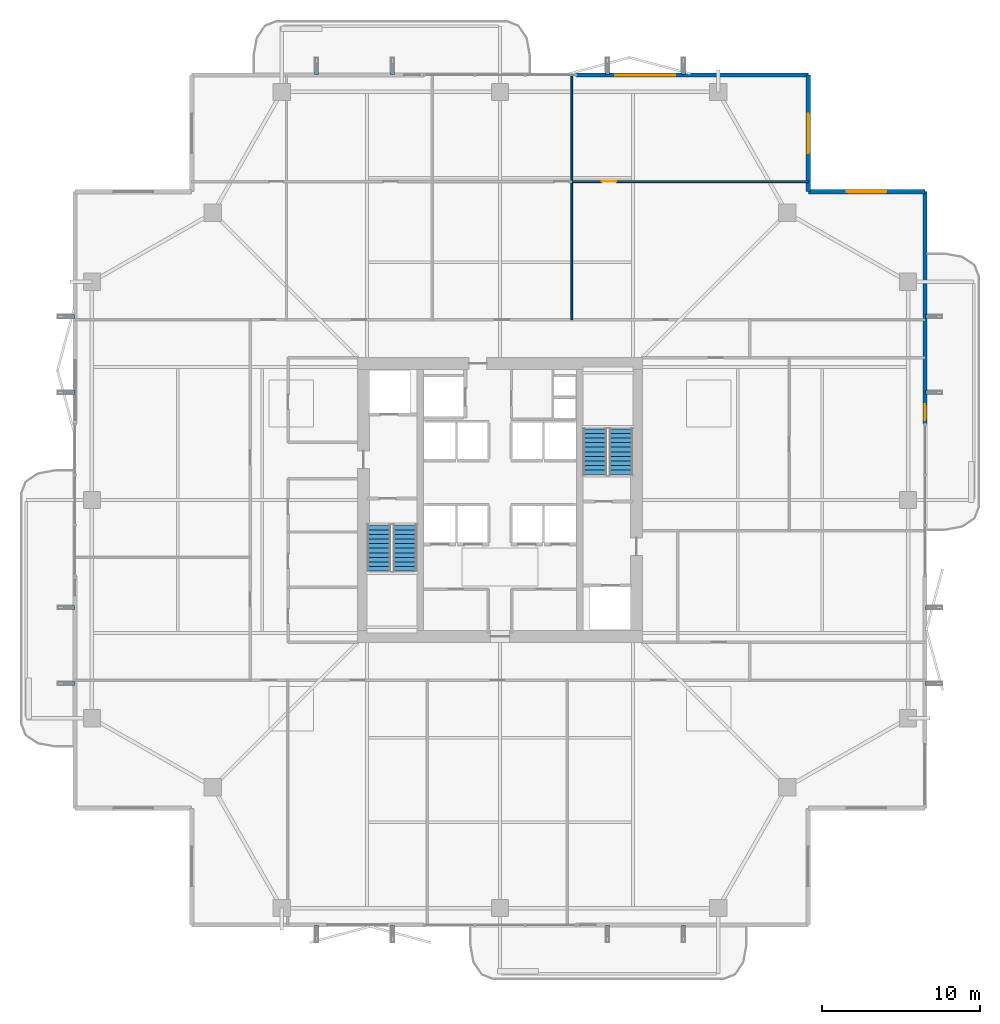
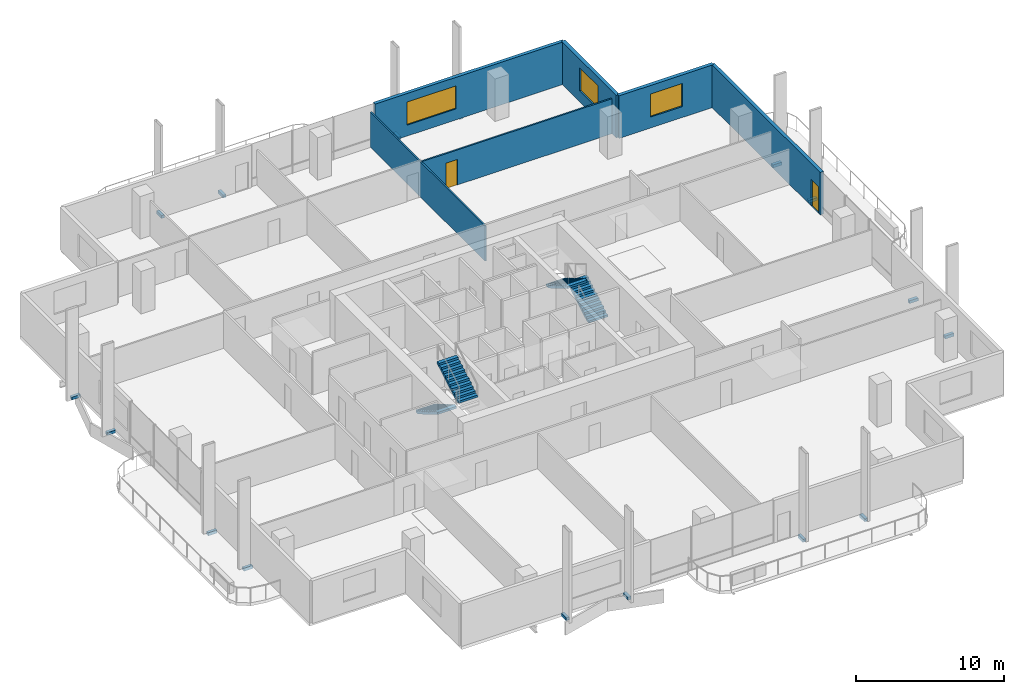
# One storey, part 20 of 24: 16 discrete accessories, 6 walls, 4 stair flights, 3 windows, 2 doors, 5 openings, 2 elements without a shape of their own.
"""IFC4 building model written with IfcOpenShell, lengths in metres."""

import ifcopenshell
import ifcopenshell.guid

model = None  # the IFC model being written
_history = None  # IfcOwnerHistory: only IFC2X3 demands one
_inside = {}  # id of a spatial element -> (the spatial element, [elements in it])
_under = {}  # id of a project, library or spatial element -> (it, [spatial elements below it])
_declared = {}  # id of a project -> (the project, [libraries it declares])
_typed = {}  # id of a type object -> (the type object, [elements of that type])
_made_of = {}  # id of a material, layer set ... -> (it, [elements and type objects made of it])


def new_model(schema):
    """Start an empty IFC model of exactly this schema.

    Asked for "IFC4X3", IfcOpenShell would pick the latest addendum, in which some entities
    have other attributes; the version numbers below select the first issue.
    IFC2X3 requires an IfcOwnerHistory on every rooted entity: one is made here for all.
    """
    global model, _history
    if schema == "IFC4X3":
        model = ifcopenshell.file(schema_version=(4, 3, 0, 0))
    else:
        model = ifcopenshell.file(schema=schema)
    _inside.clear()
    _under.clear()
    _declared.clear()
    _typed.clear()
    _made_of.clear()
    _history = None
    if model.schema == "IFC2X3":
        org = make("IfcOrganization", Name="unknown")
        user = make(
            "IfcPersonAndOrganization",
            ThePerson=make("IfcPerson", FamilyName="unknown"),
            TheOrganization=org,
        )
        app = make(
            "IfcApplication",
            ApplicationDeveloper=org,
            Version="unknown",
            ApplicationFullName="unknown",
            ApplicationIdentifier="unknown",
        )
        _history = make(
            "IfcOwnerHistory",
            OwningUser=user,
            OwningApplication=app,
            ChangeAction="ADDED",
            CreationDate=0,
        )
    return model


def make(cls, **values):
    """One entity of the class cls with the attributes given. An attribute that is None is left unset."""
    return model.create_entity(
        cls, **{name: value for name, value in values.items() if value is not None}
    )


def rooted(cls, **values):
    """An entity with a GlobalId (a new one), such as an element, a storey or a relation."""
    return make(cls, GlobalId=ifcopenshell.guid.new(), OwnerHistory=_history, **values)


def si_unit(unit_type, name, prefix=None):
    """IfcSIUnit, for example si_unit("LENGTHUNIT", "METRE", prefix="MILLI")."""
    return make("IfcSIUnit", UnitType=unit_type, Prefix=prefix, Name=name)


def assignment(units):
    """IfcUnitAssignment: the units of a project."""
    return None if units is None else make("IfcUnitAssignment", Units=units)


def point(xyz):
    """IfcCartesianPoint."""
    return None if xyz is None else make("IfcCartesianPoint", Coordinates=xyz)


def direction(xyz):
    """IfcDirection."""
    return None if xyz is None else make("IfcDirection", DirectionRatios=xyz)


def frame(location, z_axis=None, x_axis=None):
    """IfcAxis2Placement3D, a coordinate frame: its origin and axes. An axis left out is left unset."""
    return make(
        "IfcAxis2Placement3D",
        Location=point(location),
        Axis=direction(z_axis),
        RefDirection=direction(x_axis),
    )


def frame_2d(location, x_axis=None):
    """IfcAxis2Placement2D, a coordinate frame in the plane: its origin and x axis."""
    return make(
        "IfcAxis2Placement2D", Location=point(location), RefDirection=direction(x_axis)
    )


def origin():
    """The frame at (0, 0, 0) with its axes left unset."""
    return frame((0.0, 0.0, 0.0))


def origin_2d():
    """The frame at (0, 0) in the plane with its x axis left unset."""
    return frame_2d((0.0, 0.0))


def place(relative_to, where):
    """IfcLocalPlacement: puts the frame where relative to a parent placement (None: the world)."""
    return make(
        "IfcLocalPlacement", PlacementRelTo=relative_to, RelativePlacement=where
    )


def context(
    kind, dimensions, precision=None, world=None, true_north=None, identifier=None
):
    """IfcGeometricRepresentationContext, for example the 3D "Model" context."""
    return make(
        "IfcGeometricRepresentationContext",
        ContextIdentifier=identifier,
        ContextType=kind,
        CoordinateSpaceDimension=dimensions,
        Precision=precision,
        WorldCoordinateSystem=world,
        TrueNorth=true_north,
    )


def subcontext(parent, identifier, kind, view, scale=None):
    """IfcGeometricRepresentationSubContext, for example "Body" below "Model"."""
    return make(
        "IfcGeometricRepresentationSubContext",
        ContextIdentifier=identifier,
        ContextType=kind,
        ParentContext=parent,
        TargetScale=scale,
        TargetView=view,
    )


def project(units=None, contexts=None):
    """IfcProject with its units and contexts."""
    return rooted(
        "IfcProject",
        Name="project",
        RepresentationContexts=contexts,
        UnitsInContext=assignment(units),
    )


def spatial(cls, under=None, at=None, **own):
    """A site, building, storey or space (cls), placed at a placement, below another one or the project."""
    s = rooted(cls, ObjectPlacement=at, **own)
    if under is not None:
        _under.setdefault(under.id(), (under, []))[1].append(s)
    return s


def polyline(points):
    """IfcPolyline through the points."""
    return make("IfcPolyline", Points=[point(p) for p in points])


def profile(cls, at=None, kind="AREA", **sizes):
    """A parametric profile (cls). Its sizes go by their IFC names, for example OverallWidth=200.0."""
    return make(cls, ProfileType=kind, Position=at, **sizes)


def rectangle(**sizes):
    """IfcRectangleProfileDef."""
    return profile("IfcRectangleProfileDef", **sizes)


def outline(outer, holes=None, kind="AREA"):
    """IfcArbitraryClosedProfileDef: a profile drawn as a closed curve; with holes, ...WithVoids."""
    if holes is None:
        return make("IfcArbitraryClosedProfileDef", ProfileType=kind, OuterCurve=outer)
    return make(
        "IfcArbitraryProfileDefWithVoids",
        ProfileType=kind,
        OuterCurve=outer,
        InnerCurves=holes,
    )


def extrude(swept, where, along, depth):
    """IfcExtrudedAreaSolid: the profile swept, set in the frame where, extruded along a direction by depth."""
    return make(
        "IfcExtrudedAreaSolid",
        SweptArea=swept,
        Position=where,
        ExtrudedDirection=direction(along),
        Depth=depth,
    )


def shape(context_of_items, identifier, shape_type, items):
    """IfcShapeRepresentation: the items that make up one representation, for example the "Body"."""
    return make(
        "IfcShapeRepresentation",
        ContextOfItems=context_of_items,
        RepresentationIdentifier=identifier,
        RepresentationType=shape_type,
        Items=items,
    )


def material(Name=None, Category=None):
    """IfcMaterial."""
    return make("IfcMaterial", Name=Name, Category=Category)


def layer(
    of_material, thickness, ventilated=None, Name=None, Category=None, Priority=None
):
    """IfcMaterialLayer: one layer of a wall or slab, of a material (None: an air gap)."""
    return make(
        "IfcMaterialLayer",
        Material=of_material,
        LayerThickness=thickness,
        IsVentilated=ventilated,
        Name=Name,
        Category=Category,
        Priority=Priority,
    )


def layer_set(layers, Name=None):
    """IfcMaterialLayerSet."""
    return make("IfcMaterialLayerSet", MaterialLayers=layers, LayerSetName=Name)


def made_of(thing, what):
    """Note that an element or type object is made of a material, layer set ...; save() writes the relation."""
    if what is not None:
        _made_of.setdefault(what.id(), (what, []))[1].append(thing)
    return thing


def type_object(cls, material=None, **own):
    """A type object (cls), such as IfcWallType, which elements share."""
    return made_of(rooted(cls, **own), material)


def element(
    cls,
    number,
    at=None,
    inside=None,
    cuts=None,
    type_object=None,
    material=None,
    context=None,
    identifier="Body",
    shape_type=None,
    held_by="IfcProductDefinitionShape",
    body=None,
    shapes=None,
    **own,
):
    """One element of the class cls, such as IfcWall. Its Tag is "e" and its number.

    at: its placement. inside: the storey or other place that contains it. cuts: it is an
    opening in that element (IfcRelVoidsElement). A single representation is given by context,
    identifier, shape_type and body (its items); several are given by shapes. held_by: the class
    of the entity that holds the representations. save() writes the other relations.
    """
    e = rooted(cls, Tag="e%d" % number, ObjectPlacement=at, **own)
    if body is not None:
        shapes = [shape(context, identifier, shape_type, body)]
    if shapes is not None:
        e.Representation = make(held_by, Representations=shapes)
    if inside is not None:
        _inside.setdefault(inside.id(), (inside, []))[1].append(e)
    if cuts is not None:
        rooted(
            "IfcRelVoidsElement", RelatingBuildingElement=cuts, RelatedOpeningElement=e
        )
    if type_object is not None:
        _typed.setdefault(type_object.id(), (type_object, []))[1].append(e)
    return made_of(e, material)


def fill(opening, filler):
    """IfcRelFillsElement: the door or window that sits in an opening."""
    return rooted(
        "IfcRelFillsElement",
        RelatingOpeningElement=opening,
        RelatedBuildingElement=filler,
    )


def aggregate(whole, parts):
    """IfcRelAggregates: a whole, such as a stair, and the parts it consists of."""
    return rooted("IfcRelAggregates", RelatingObject=whole, RelatedObjects=parts)


def save(model, path):
    """Write the relations noted so far, then the file.

    IfcRelAggregates (storeys below a building ...), IfcRelContainedInSpatialStructure (elements
    in a storey), IfcRelDefinesByType, IfcRelAssociatesMaterial and IfcRelDeclares: one each for
    every whole, place, type object, material and project.
    """
    for whole, parts in _under.values():
        aggregate(whole, parts)
    for where, things in _inside.values():
        rooted(
            "IfcRelContainedInSpatialStructure",
            RelatedElements=things,
            RelatingStructure=where,
        )
    for kind, things in _typed.values():
        rooted("IfcRelDefinesByType", RelatedObjects=things, RelatingType=kind)
    for what, things in _made_of.values():
        rooted("IfcRelAssociatesMaterial", RelatedObjects=things, RelatingMaterial=what)
    for by, libraries in _declared.values():
        rooted("IfcRelDeclares", RelatingContext=by, RelatedDefinitions=libraries)
    model.write(path)


model = new_model("IFC4")

# Units and contexts
model_context = context("Model", 3, precision=1e-05, world=origin(), true_north=direction((0.0, 1.0)))
body_context = subcontext(model_context, "Body", "Model", "MODEL_VIEW")
ifc_project = project(units=[si_unit("LENGTHUNIT", "METRE"), si_unit("AREAUNIT", "SQUARE_METRE"), si_unit("VOLUMEUNIT", "CUBIC_METRE"), si_unit("PLANEANGLEUNIT", "RADIAN"), si_unit("MASSUNIT", "GRAM", prefix="KILO")], contexts=[model_context])

# Site, building, storey
site_placement = place(None, origin())
site = spatial("IfcSite", under=ifc_project, at=site_placement, CompositionType="ELEMENT")
building_placement = place(site_placement, origin())
building = spatial("IfcBuilding", under=site, at=building_placement, Name="Belovzor Exchange Tower", CompositionType="ELEMENT")
storey_placement = place(building_placement, frame((0.0, 0.0, 203.699951171875)))
storey = spatial("IfcBuildingStorey", under=building, at=storey_placement, Name="L50", CompositionType="ELEMENT", Elevation=203.699951171875)

# Wall
ifc_material_1 = material(Name="Acoustic Plasterboard on Galvanised Studs", Category="gypsum")
ifc_layer_1 = layer(ifc_material_1, 0.1201171875)
ifc_layer_set_1 = layer_set([ifc_layer_1], Name="Acoustic Plasterboard on Galvanised Studs")
wall_type_1 = type_object("IfcWallType", Name="Acoustic Double-Stud Partition Wall 120", PredefinedType="PARTITIONING", material=ifc_layer_set_1)
wall_1_placement = place(storey_placement, frame((33.339111328125, 40.199951171875, 0.0), z_axis=(0.0, 0.0, 1.0), x_axis=(0.0, 1.0, 0.0)))
element("IfcWall", 1, at=wall_1_placement, inside=storey, type_object=wall_type_1, Name="W-P120 Partition Wall W-L50-NDIV-3", PredefinedType="PARTITIONING", context=body_context, shape_type="SweptSolid", body=[
    extrude(rectangle(XDim=15.469970703125, YDim=0.1201171875, at=frame_2d((7.73486328125, 0.0))), origin(), (0.0, 0.0, 1.0), 2.885009765625),
])

# Wall, opening, door
wall_2_placement = place(storey_placement, frame((33.339111328125, 48.93505859375, 0.0), z_axis=(0.0, 0.0, 1.0), x_axis=(1.0, 0.0, 0.0)))
wall_2 = element("IfcWall", 2, at=wall_2_placement, inside=storey, type_object=wall_type_1, Name="W-P120 Partition Wall W-L50-NHDIV-3", PredefinedType="PARTITIONING", context=body_context, shape_type="SweptSolid", body=[
    extrude(rectangle(XDim=14.9609375, YDim=0.1201171875, at=frame_2d((7.48046875, 0.0))), origin(), (0.0, 0.0, 1.0), 2.885009765625),
])
opening_1_placement = place(wall_2_placement, frame((1.907958984375, 0.0, 0.0)))
opening_1 = element("IfcOpeningElement", 3, at=opening_1_placement, cuts=wall_2, Name="Opening D-INT-090", PredefinedType="OPENING", context=body_context, shape_type="SweptSolid", body=[
    extrude(rectangle(XDim=0.89990234375, YDim=2.10009765625, at=frame_2d((0.449951171875, 1.050048828125))), frame((0.0, 0.070068359375, 0.0), z_axis=(0.0, -1.0, 0.0), x_axis=(1.0, 0.0, 0.0)), (0.0, 0.0, 1.0), 0.14013671875),
])
ifc_material_2 = material(Name="Veneered Hardwood Acoustic Leaf", Category="wood")
door_type_1 = type_object("IfcDoorType", Name="Trading Suite Acoustic Single Door 900x2100", OperationType="NOTDEFINED", PredefinedType="DOOR", material=ifc_material_2)
door_1_placement = place(opening_1_placement, origin())
door_1 = element("IfcDoor", 4, at=door_1_placement, inside=storey, type_object=door_type_1, Name="D-INT-090 Trading Suite Acoustic Single Door 900x2100", OperationType="SINGLE_SWING_RIGHT", OverallHeight=2.10009765625, OverallWidth=0.89990234375, PredefinedType="DOOR", context=body_context, shape_type="SweptSolid", body=[
    extrude(rectangle(XDim=0.89990234375, YDim=2.10009765625, at=frame_2d((0.449951171875, 1.050048828125))), frame((0.0, 0.02490234375, 0.0), z_axis=(0.0, -1.0, 0.0), x_axis=(1.0, 0.0, 0.0)), (0.0, 0.0, 1.0), 0.050048828125),
])
fill(opening_1, door_1)

# Wall, opening, window
ifc_material_3 = material(Name="Precast concrete C40/50", Category="concrete")
ifc_layer_2 = layer(ifc_material_3, 0.280029296875)
ifc_layer_set_2 = layer_set([ifc_layer_2], Name="Precast concrete C40/50")
wall_type_2 = type_object("IfcWallType", Name="Precast Concrete Notched Corner Frame Wall 280", PredefinedType="SOLIDWALL", material=ifc_layer_set_2)
wall_3_placement = place(storey_placement, frame((48.300048828125, 55.669921875, 0.0), z_axis=(0.0, 0.0, 1.0), x_axis=(0.0, -1.0, 0.0)))
wall_3 = element("IfcWall", 5, at=wall_3_placement, inside=storey, type_object=wall_type_2, Name="W-CRN280 Precast Concrete Notched Corner Frame Wall 280 L50", PredefinedType="SOLIDWALL", context=body_context, shape_type="SweptSolid", body=[
    extrude(rectangle(XDim=7.369873046875, YDim=0.280029296875, at=frame_2d((3.68505859375, 0.0))), origin(), (0.0, 0.0, 1.0), 3.5),
])
opening_2_placement = place(wall_3_placement, frame((2.43505859375, 0.0, 0.89990234375)))
opening_2 = element("IfcOpeningElement", 6, at=opening_2_placement, cuts=wall_3, Name="Opening WN-CRN250", PredefinedType="OPENING", context=body_context, shape_type="SweptSolid", body=[
    extrude(rectangle(XDim=2.5, YDim=1.89990234375, at=frame_2d((1.25, 0.949951171875))), frame((0.0, 0.14990234375, 0.0), z_axis=(0.0, -1.0, 0.0), x_axis=(1.0, 0.0, 0.0)), (0.0, 0.0, 1.0), 0.300048828125),
])
ifc_material_4 = material(Name="Thermally Broken Aluminium and Triple Glazing", Category="aluminium")
window_type_1 = type_object("IfcWindowType", Name="Streamline Moderne Corner Wrap Ribbon Window 2500x1900", PartitioningType="SINGLE_PANEL", PredefinedType="WINDOW", material=ifc_material_4)
window_1_placement = place(opening_2_placement, origin())
window_1 = element("IfcWindow", 7, at=window_1_placement, inside=storey, type_object=window_type_1, Name="WN-CRN250 Streamline Moderne Corner Wrap Ribbon Window 2500x1900", OverallHeight=1.89990234375, OverallWidth=2.5, PartitioningType="SINGLE_PANEL", PredefinedType="WINDOW", context=body_context, shape_type="SweptSolid", body=[
    extrude(rectangle(XDim=2.5, YDim=1.89990234375, at=frame_2d((1.25, 0.949951171875))), frame((0.0, 0.030029296875, 0.0), z_axis=(0.0, -1.0, 0.0), x_axis=(1.0, 0.0, 0.0)), (0.0, 0.0, 1.0), 0.06005859375),
])
fill(opening_2, window_1)

wall_4_placement = place(storey_placement, frame((48.300048828125, 48.300048828125, 0.0), z_axis=(0.0, 0.0, 1.0), x_axis=(1.0, 0.0, 0.0)))
wall_4 = element("IfcWall", 8, at=wall_4_placement, inside=storey, type_object=wall_type_2, Name="W-CRN280 Precast Concrete Notched Corner Frame Wall 280 L50", PredefinedType="SOLIDWALL", context=body_context, shape_type="SweptSolid", body=[
    extrude(rectangle(XDim=7.369873046875, YDim=0.280029296875, at=frame_2d((3.68505859375, 0.0))), origin(), (0.0, 0.0, 1.0), 3.5),
])
opening_3_placement = place(wall_4_placement, frame((2.43505859375, 0.0, 0.89990234375)))
opening_3 = element("IfcOpeningElement", 9, at=opening_3_placement, cuts=wall_4, Name="Opening WN-CRN250", PredefinedType="OPENING", context=body_context, shape_type="SweptSolid", body=[
    extrude(rectangle(XDim=2.5, YDim=1.89990234375, at=frame_2d((1.25, 0.949951171875))), frame((0.0, 0.14990234375, 0.0), z_axis=(0.0, -1.0, 0.0), x_axis=(1.0, 0.0, 0.0)), (0.0, 0.0, 1.0), 0.300048828125),
])
window_2_placement = place(opening_3_placement, origin())
window_2 = element("IfcWindow", 10, at=window_2_placement, inside=storey, type_object=window_type_1, Name="WN-CRN250 Streamline Moderne Corner Wrap Ribbon Window 2500x1900", OverallHeight=1.89990234375, OverallWidth=2.5, PartitioningType="SINGLE_PANEL", PredefinedType="WINDOW", context=body_context, shape_type="SweptSolid", body=[
    extrude(rectangle(XDim=2.5, YDim=1.89990234375, at=frame_2d((1.25, 0.949951171875))), frame((0.0, 0.030029296875, 0.0), z_axis=(0.0, -1.0, 0.0), x_axis=(1.0, 0.0, 0.0)), (0.0, 0.0, 1.0), 0.06005859375),
])
fill(opening_3, window_2)

ifc_material_5 = material(Name="Precast concrete C40/50", Category="concrete")
ifc_layer_3 = layer(ifc_material_5, 0.260009765625)
ifc_layer_set_3 = layer_set([ifc_layer_3], Name="Precast concrete C40/50")
wall_type_3 = type_object("IfcWallType", Name="Precast Concrete Perimeter Loggia Frame Wall 260", PredefinedType="SOLIDWALL", material=ifc_layer_set_3)
wall_5_placement = place(storey_placement, frame((33.60009765625, 55.669921875, 0.0), z_axis=(0.0, 0.0, 1.0), x_axis=(1.0, 0.0, 0.0)))
wall_5 = element("IfcWall", 11, at=wall_5_placement, inside=storey, type_object=wall_type_3, Name="W-EXT260 Precast Concrete Perimeter Loggia Frame Wall 260 L50", PredefinedType="SOLIDWALL", context=body_context, shape_type="SweptSolid", body=[
    extrude(rectangle(XDim=14.699951171875, YDim=0.260009765625, at=frame_2d((7.35009765625, 0.0))), origin(), (0.0, 0.0, 1.0), 3.5),
])
opening_4_placement = place(wall_5_placement, frame((2.489990234375, 0.0, 0.89990234375)))
opening_4 = element("IfcOpeningElement", 12, at=opening_4_placement, cuts=wall_5, Name="Opening WN-RIB380", PredefinedType="OPENING", context=body_context, shape_type="SweptSolid", body=[
    extrude(rectangle(XDim=3.800048828125, YDim=1.89990234375, at=frame_2d((1.89990234375, 0.949951171875))), frame((0.0, 0.139892578125, 0.0), z_axis=(0.0, -1.0, 0.0), x_axis=(1.0, 0.0, 0.0)), (0.0, 0.0, 1.0), 0.280029296875),
])
ifc_material_6 = material(Name="Thermally Broken Aluminium and Triple Glazing", Category="aluminium")
window_type_2 = type_object("IfcWindowType", Name="Streamline Moderne Horizontal Ribbon Window 3800x1900", PartitioningType="SINGLE_PANEL", PredefinedType="WINDOW", material=ifc_material_6)
window_3_placement = place(opening_4_placement, origin())
window_3 = element("IfcWindow", 13, at=window_3_placement, inside=storey, type_object=window_type_2, Name="WN-RIB380 Streamline Moderne Horizontal Ribbon Window 3800x1900", OverallHeight=1.89990234375, OverallWidth=3.800048828125, PartitioningType="SINGLE_PANEL", PredefinedType="WINDOW", context=body_context, shape_type="SweptSolid", body=[
    extrude(rectangle(XDim=3.800048828125, YDim=1.89990234375, at=frame_2d((1.89990234375, 0.949951171875))), frame((0.0, 0.030029296875, 0.0), z_axis=(0.0, -1.0, 0.0), x_axis=(1.0, 0.0, 0.0)), (0.0, 0.0, 1.0), 0.06005859375),
])
fill(opening_4, window_3)

# Wall, opening, door
wall_6_placement = place(storey_placement, frame((55.669921875, 48.300048828125, 0.0), z_axis=(0.0, 0.0, 1.0), x_axis=(0.0, -1.0, 0.0)))
wall_6 = element("IfcWall", 14, at=wall_6_placement, inside=storey, type_object=wall_type_3, Name="W-EXT260 Precast Concrete Perimeter Loggia Frame Wall 260 L50", PredefinedType="SOLIDWALL", context=body_context, shape_type="SweptSolid", body=[
    extrude(rectangle(XDim=14.699951171875, YDim=0.260009765625, at=frame_2d((7.35009765625, 0.0))), origin(), (0.0, 0.0, 1.0), 3.5),
])
opening_5_placement = place(wall_6_placement, frame((13.449951171875, 0.0, 0.0)))
opening_5 = element("IfcOpeningElement", 15, at=opening_5_placement, cuts=wall_6, Name="Opening D-BAL100", PredefinedType="OPENING", context=body_context, shape_type="SweptSolid", body=[
    extrude(rectangle(XDim=1.0, YDim=2.199951171875, at=frame_2d((0.5, 1.10009765625))), frame((0.0, 0.139892578125, 0.0), z_axis=(0.0, -1.0, 0.0), x_axis=(1.0, 0.0, 0.0)), (0.0, 0.0, 1.0), 0.280029296875),
])
ifc_material_7 = material(Name="Thermally Broken Anodised Aluminium and Laminated Glass", Category="aluminium")
door_type_2 = type_object("IfcDoorType", Name="Planted Loggia Terrace Glazed Door 1000x2200", OperationType="SINGLE_SWING_LEFT", PredefinedType="DOOR", material=ifc_material_7)
door_2_placement = place(opening_5_placement, origin())
door_2 = element("IfcDoor", 16, at=door_2_placement, inside=storey, type_object=door_type_2, Name="D-BAL100 Balcony Terrace Door L50 E", OperationType="SINGLE_SWING_LEFT", OverallHeight=2.199951171875, OverallWidth=1.0, PredefinedType="DOOR", context=body_context, shape_type="SweptSolid", body=[
    extrude(rectangle(XDim=1.0, YDim=2.199951171875, at=frame_2d((0.5, 1.10009765625))), frame((0.0, 0.02490234375, 0.0), z_axis=(0.0, -1.0, 0.0), x_axis=(1.0, 0.0, 0.0)), (0.0, 0.0, 1.0), 0.050048828125),
])
fill(opening_5, door_2)

# Stair, stair flights
ifc_material_8 = material(Name="Concrete C40/50", Category="concrete")
stair_type = type_object("IfcStairType", Name="Reinforced Concrete Dogleg Escape Stair 1350", PredefinedType="HALF_TURN_STAIR", material=ifc_material_8)
stair_1_placement = place(storey_placement, origin())
stair_1 = element("IfcStair", 17, at=stair_1_placement, inside=storey, type_object=stair_type, Name="L50 ST-1", PredefinedType="HALF_TURN_STAIR")
ifc_material_9 = material(Name="Concrete C40/50", Category="concrete")
stair_flight_type = type_object("IfcStairFlightType", Name="Reinforced Concrete Stair Flight 1350", PredefinedType="STRAIGHT", material=ifc_material_9)
stair_flight_1_placement = place(storey_placement, frame((21.14990234375, 27.199951171875, 0.0), z_axis=(0.0, 0.0, 1.0), x_axis=(0.0, -1.0, 0.0)))
stair_flight_1 = element("IfcStairFlight", 18, at=stair_flight_1_placement, type_object=stair_flight_type, Name="ST-1 flight 1", NumberOfRisers=11, NumberOfTreads=10, PredefinedType="STRAIGHT", RiserHeight=0.170454545, TreadLength=0.29, context=body_context, shape_type="SweptSolid", body=[
    extrude(outline(polyline([(0.0, 0.0), (0.0, 0.17041015625), (0.2900390625, 0.17041015625), (0.2900390625, 0.3408203125), (0.580078125, 0.3408203125), (0.580078125, 0.511474609375), (0.8701171875, 0.511474609375), (0.8701171875, 0.681884765625), (1.159912109375, 0.681884765625), (1.159912109375, 0.852294921875), (1.449951171875, 0.852294921875), (1.449951171875, 1.022705078125), (1.739990234375, 1.022705078125), (1.739990234375, 1.193115234375), (2.030029296875, 1.193115234375), (2.030029296875, 1.363525390625), (2.320068359375, 1.363525390625), (2.320068359375, 1.5341796875), (2.610107421875, 1.5341796875), (2.610107421875, 1.70458984375), (2.89990234375, 1.70458984375), (2.89990234375, 1.875), (2.89990234375, 1.53076171875), (0.2958984375, 0.0), (0.0, 0.0)])), frame((0.0, 0.75, 0.0), z_axis=(0.0, -1.0, 0.0), x_axis=(1.0, 0.0, 0.0)), (0.0, 0.0, 1.0), 1.5),
])
stair_flight_2_placement = place(storey_placement, frame((22.800048828125, 24.300048828125, 1.875), z_axis=(0.0, 0.0, 1.0), x_axis=(0.0, 1.0, 0.0)))
stair_flight_2 = element("IfcStairFlight", 19, at=stair_flight_2_placement, type_object=stair_flight_type, Name="ST-1 flight 2", NumberOfRisers=11, NumberOfTreads=10, PredefinedType="STRAIGHT", RiserHeight=0.170454545, TreadLength=0.29, context=body_context, shape_type="SweptSolid", body=[
    extrude(outline(polyline([(0.0, 0.0), (0.0, 0.17041015625), (0.2900390625, 0.17041015625), (0.2900390625, 0.3408203125), (0.580078125, 0.3408203125), (0.580078125, 0.511474609375), (0.8701171875, 0.511474609375), (0.8701171875, 0.681884765625), (1.159912109375, 0.681884765625), (1.159912109375, 0.852294921875), (1.449951171875, 0.852294921875), (1.449951171875, 1.022705078125), (1.739990234375, 1.022705078125), (1.739990234375, 1.193115234375), (2.030029296875, 1.193115234375), (2.030029296875, 1.363525390625), (2.320068359375, 1.363525390625), (2.320068359375, 1.5341796875), (2.610107421875, 1.5341796875), (2.610107421875, 1.70458984375), (2.89990234375, 1.70458984375), (2.89990234375, 1.875), (2.89990234375, 1.53076171875), (0.2958984375, 0.0), (0.0, 0.0)])), frame((0.0, 0.75, 0.0), z_axis=(0.0, -1.0, 0.0), x_axis=(1.0, 0.0, 0.0)), (0.0, 0.0, 1.0), 1.5),
])
aggregate(stair_1, [stair_flight_1, stair_flight_2])

stair_2_placement = place(storey_placement, origin())
stair_2 = element("IfcStair", 20, at=stair_2_placement, inside=storey, type_object=stair_type, Name="L50 ST-2", PredefinedType="HALF_TURN_STAIR")
stair_flight_3_placement = place(storey_placement, frame((36.449951171875, 30.39990234375, 0.0), z_axis=(0.0, 0.0, 1.0), x_axis=(0.0, 1.0, 0.0)))
stair_flight_3 = element("IfcStairFlight", 21, at=stair_flight_3_placement, type_object=stair_flight_type, Name="ST-2 flight 1", NumberOfRisers=11, NumberOfTreads=10, PredefinedType="STRAIGHT", RiserHeight=0.170454545, TreadLength=0.29, context=body_context, shape_type="SweptSolid", body=[
    extrude(outline(polyline([(0.0, 0.0), (0.0, 0.17041015625), (0.2900390625, 0.17041015625), (0.2900390625, 0.3408203125), (0.580078125, 0.3408203125), (0.580078125, 0.511474609375), (0.8701171875, 0.511474609375), (0.8701171875, 0.681884765625), (1.159912109375, 0.681884765625), (1.159912109375, 0.852294921875), (1.449951171875, 0.852294921875), (1.449951171875, 1.022705078125), (1.739990234375, 1.022705078125), (1.739990234375, 1.193115234375), (2.030029296875, 1.193115234375), (2.030029296875, 1.363525390625), (2.320068359375, 1.363525390625), (2.320068359375, 1.5341796875), (2.610107421875, 1.5341796875), (2.610107421875, 1.70458984375), (2.89990234375, 1.70458984375), (2.89990234375, 1.875), (2.89990234375, 1.53076171875), (0.2958984375, 0.0), (0.0, 0.0)])), frame((0.0, 0.75, 0.0), z_axis=(0.0, -1.0, 0.0), x_axis=(1.0, 0.0, 0.0)), (0.0, 0.0, 1.0), 1.5),
])
stair_flight_4_placement = place(storey_placement, frame((34.800048828125, 33.300048828125, 1.875), z_axis=(0.0, 0.0, 1.0), x_axis=(0.0, -1.0, 0.0)))
stair_flight_4 = element("IfcStairFlight", 22, at=stair_flight_4_placement, type_object=stair_flight_type, Name="ST-2 flight 2", NumberOfRisers=11, NumberOfTreads=10, PredefinedType="STRAIGHT", RiserHeight=0.170454545, TreadLength=0.29, context=body_context, shape_type="SweptSolid", body=[
    extrude(outline(polyline([(0.0, 0.0), (0.0, 0.17041015625), (0.2900390625, 0.17041015625), (0.2900390625, 0.3408203125), (0.580078125, 0.3408203125), (0.580078125, 0.511474609375), (0.8701171875, 0.511474609375), (0.8701171875, 0.681884765625), (1.159912109375, 0.681884765625), (1.159912109375, 0.852294921875), (1.449951171875, 0.852294921875), (1.449951171875, 1.022705078125), (1.739990234375, 1.022705078125), (1.739990234375, 1.193115234375), (2.030029296875, 1.193115234375), (2.030029296875, 1.363525390625), (2.320068359375, 1.363525390625), (2.320068359375, 1.5341796875), (2.610107421875, 1.5341796875), (2.610107421875, 1.70458984375), (2.89990234375, 1.70458984375), (2.89990234375, 1.875), (2.89990234375, 1.53076171875), (0.2958984375, 0.0), (0.0, 0.0)])), frame((0.0, 0.75, 0.0), z_axis=(0.0, -1.0, 0.0), x_axis=(1.0, 0.0, 0.0)), (0.0, 0.0, 1.0), 1.5),
])
aggregate(stair_2, [stair_flight_3, stair_flight_4])

# Discrete accessories
ifc_material_10 = material(Name="Stainless Steel Grade 316", Category="steel")
ifc_layer_4 = layer(ifc_material_10, 0.179931640625)
ifc_layer_set_4 = layer_set([ifc_layer_4], Name="Stainless Steel Grade 316")
discrete_accessory_type = type_object("IfcDiscreteAccessoryType", Name="Stainless Steel Facade Outrigger Fixing Bracket", PredefinedType="BRACKET", material=ifc_layer_set_4)
for number, where, z_axis, x_axis, name in (
    (23, (17.199951171875, 1.5380859375, -0.2451171875), (0.0, 0.0, 1.0), (0.0, 1.0, 0.0), "BRK-FIN1 Sweeping Fin Outrigger Bracket L50 S1"),
    (24, (17.199951171875, 56.06201171875, -0.2451171875), (0.0, 0.0, 1.0), (0.0, 1.0, 0.0), "BRK-FIN1 Sweeping Fin Outrigger Bracket L50 N1"),
    (25, (1.5380859375, 17.199951171875, -0.2451171875), (0.0, 0.0, 1.0), (1.0, 0.0, 0.0), "BRK-FIN1 Sweeping Fin Outrigger Bracket L50 W1"),
    (26, (56.06201171875, 17.199951171875, -0.2451171875), (0.0, 0.0, 1.0), (1.0, 0.0, 0.0), "BRK-FIN1 Sweeping Fin Outrigger Bracket L50 E1"),
    (27, (22.0, 1.5380859375, -0.2451171875), (0.0, 0.0, 1.0), (0.0, 1.0, 0.0), "BRK-FIN1 Sweeping Fin Outrigger Bracket L50 S2"),
    (28, (22.0, 56.06201171875, -0.2451171875), (0.0, 0.0, 1.0), (0.0, 1.0, 0.0), "BRK-FIN1 Sweeping Fin Outrigger Bracket L50 N2"),
    (29, (1.5380859375, 22.0, -0.2451171875), (0.0, 0.0, 1.0), (1.0, 0.0, 0.0), "BRK-FIN1 Sweeping Fin Outrigger Bracket L50 W2"),
    (30, (56.06201171875, 22.0, -0.2451171875), (0.0, 0.0, 1.0), (1.0, 0.0, 0.0), "BRK-FIN1 Sweeping Fin Outrigger Bracket L50 E2"),
    (31, (35.60009765625, 1.5380859375, -0.2451171875), (0.0, 0.0, 1.0), (0.0, 1.0, 0.0), "BRK-FIN1 Sweeping Fin Outrigger Bracket L50 S3"),
    (32, (35.60009765625, 56.06201171875, -0.2451171875), (0.0, 0.0, 1.0), (0.0, 1.0, 0.0), "BRK-FIN1 Sweeping Fin Outrigger Bracket L50 N3"),
    (33, (1.5380859375, 35.60009765625, -0.2451171875), (0.0, 0.0, 1.0), (1.0, 0.0, 0.0), "BRK-FIN1 Sweeping Fin Outrigger Bracket L50 W3"),
    (34, (56.06201171875, 35.60009765625, -0.2451171875), (0.0, 0.0, 1.0), (1.0, 0.0, 0.0), "BRK-FIN1 Sweeping Fin Outrigger Bracket L50 E3"),
    (35, (40.39990234375, 1.5380859375, -0.2451171875), (0.0, 0.0, 1.0), (0.0, 1.0, 0.0), "BRK-FIN1 Sweeping Fin Outrigger Bracket L50 S4"),
    (36, (40.39990234375, 56.06201171875, -0.2451171875), (0.0, 0.0, 1.0), (0.0, 1.0, 0.0), "BRK-FIN1 Sweeping Fin Outrigger Bracket L50 N4"),
    (37, (1.5380859375, 40.39990234375, -0.2451171875), (0.0, 0.0, 1.0), (1.0, 0.0, 0.0), "BRK-FIN1 Sweeping Fin Outrigger Bracket L50 W4"),
    (38, (56.06201171875, 40.39990234375, -0.2451171875), (0.0, 0.0, 1.0), (1.0, 0.0, 0.0), "BRK-FIN1 Sweeping Fin Outrigger Bracket L50 E4"),
):
    element("IfcDiscreteAccessory", number, at=place(storey_placement, frame(where, z_axis=z_axis, x_axis=x_axis)), inside=storey, type_object=discrete_accessory_type, Name=name, PredefinedType="BRACKET", context=body_context, shape_type="SweptSolid", body=[
        extrude(rectangle(XDim=0.68505859375, YDim=0.239990234375, at=origin_2d()), origin(), (0.0, 0.0, 1.0), 0.239990234375),
    ])

save(model, "model.ifc")
